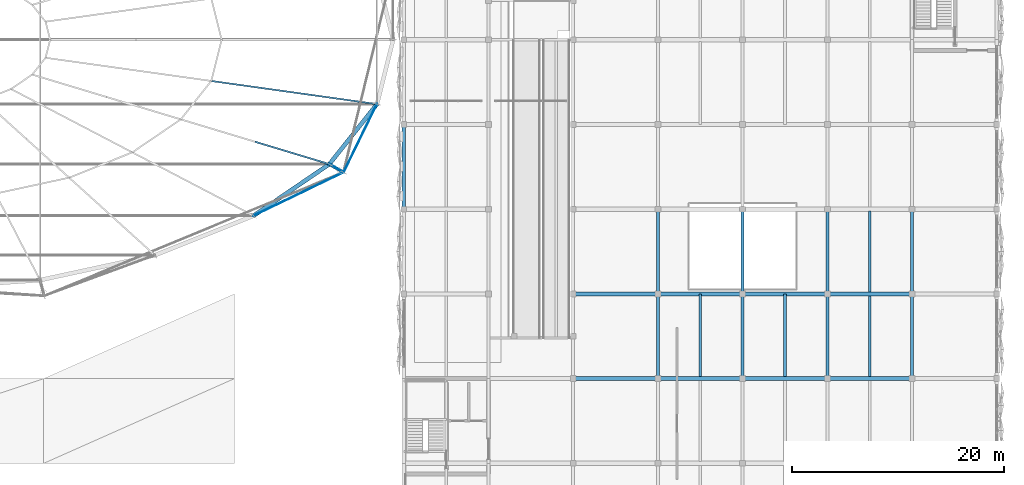
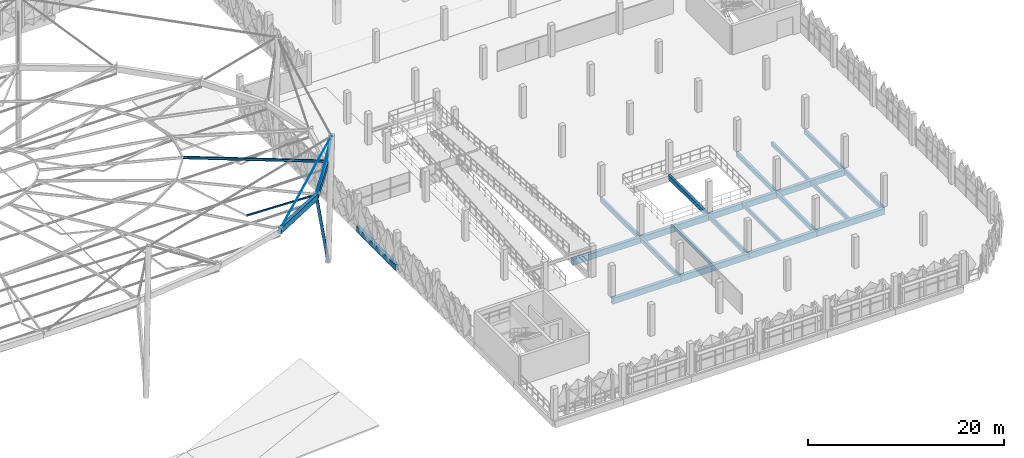
# One storey, part 22 of 96: 24 beams, 5 members.
"""IFC4 building model written with IfcOpenShell, lengths in metres."""

from ifc_helpers import new_model, si_unit, derived_unit, direction, frame, origin, origin_2d, place, context, subcontext, project, spatial, rectangle, hollow_rectangle, circle, i_section, extrude, material, material_profile, profile_set, type_object, element, save


model = new_model("IFC4")

# Units and contexts
model_context = context("Model", 3, precision=1e-05, world=origin(), true_north=direction((0.0, 1.0)))
body_context = subcontext(model_context, "Body", "Model", "MODEL_VIEW")
ifc_project = project(units=[si_unit("LENGTHUNIT", "METRE"), si_unit("AREAUNIT", "SQUARE_METRE"), si_unit("VOLUMEUNIT", "CUBIC_METRE"), si_unit("PLANEANGLEUNIT", "RADIAN"), si_unit("MASSUNIT", "GRAM", prefix="KILO"), si_unit("THERMODYNAMICTEMPERATUREUNIT", "KELVIN"), derived_unit("THERMALTRANSMITTANCEUNIT", [(si_unit("POWERUNIT", "WATT"), 1), (si_unit("AREAUNIT", "SQUARE_METRE"), -1), (si_unit("THERMODYNAMICTEMPERATUREUNIT", "KELVIN"), -1)])], contexts=[model_context])

# Site, building, storey
site_placement = place(None, origin())
site = spatial("IfcSite", under=ifc_project, at=site_placement, CompositionType="ELEMENT")
building_placement = place(site_placement, origin())
building = spatial("IfcBuilding", under=site, at=building_placement, Name="Haiyu Intermodal Mobility Hub", CompositionType="ELEMENT")
storey_placement = place(building_placement, frame((0.0, 0.0, 9.5)))
storey = spatial("IfcBuildingStorey", under=building, at=storey_placement, Name="L02", CompositionType="ELEMENT", Elevation=9.5)

# Beams
ifc_material_1 = material(Name="Concrete C40", Category="concrete")
ifc_material_profile_1 = material_profile(ifc_material_1, rectangle(XDim=0.39990234375, YDim=0.75, at=origin_2d()), Name="RCB400x750")
ifc_profile_set_1 = profile_set([ifc_material_profile_1], Name="Concrete C40")
beam_type_1 = type_object("IfcBeamType", Name="BM-CB03", PredefinedType="BEAM", material=ifc_profile_set_1)
for number, where, z_axis, x_axis, name in (
    (1, (170.0, 32.0, -0.635009765625), (1.0, 0.0, 0.0), (0.0, 1.0, 0.0), "BM-V5G-L02-016"),
    (2, (178.0, 32.0, -0.635009765625), (1.0, 0.0, 0.0), (0.0, 1.0, 0.0), "BM-V5G-L02-017"),
    (3, (186.0, 32.0, -0.635009765625), (1.0, 0.0, 0.0), (0.0, 1.0, 0.0), "BM-V5G-L02-018"),
    (4, (194.0, 32.0, -0.635009765625), (1.0, 0.0, 0.0), (0.0, 1.0, 0.0), "BM-V5G-L02-019"),
    (5, (170.0, 40.0, -0.635009765625), (1.0, 0.0, 0.0), (0.0, 1.0, 0.0), "BM-V5G-L02-023"),
    (6, (178.0, 40.0, -0.635009765625), (1.0, 0.0, 0.0), (0.0, 1.0, 0.0), "BM-V5G-L02-024"),
    (7, (186.0, 40.0, -0.635009765625), (1.0, 0.0, 0.0), (0.0, 1.0, 0.0), "BM-V5G-L02-025"),
    (8, (194.0, 40.0, -0.635009765625), (1.0, 0.0, 0.0), (0.0, 1.0, 0.0), "BM-V5G-L02-026"),
):
    element("IfcBeam", number, at=place(storey_placement, frame(where, z_axis=z_axis, x_axis=x_axis)), inside=storey, type_object=beam_type_1, Name=name, PredefinedType="BEAM", context=body_context, shape_type="SweptSolid", body=[
        extrude(rectangle(XDim=0.39990234375, YDim=0.75, at=origin_2d()), origin(), (0.0, 0.0, 1.0), 8.0),
    ])
ifc_material_profile_2 = material_profile(ifc_material_1, rectangle(XDim=0.35009765625, YDim=0.699951171875, at=origin_2d()), Name="RCB350x700")
ifc_profile_set_2 = profile_set([ifc_material_profile_2], Name="Concrete C40")
beam_type_2 = type_object("IfcBeamType", Name="BM-CB06", PredefinedType="BEAM", material=ifc_profile_set_2)
beam_1_placement = place(storey_placement, frame((154.0, 48.0, -0.610107421875), z_axis=(0.0, 1.0, 0.0), x_axis=(-1.0, 0.0, 0.0)))
element("IfcBeam", 9, at=beam_1_placement, inside=storey, type_object=beam_type_2, Name="BM-V5T-L02-005", PredefinedType="BEAM", context=body_context, shape_type="SweptSolid", body=[
    extrude(rectangle(XDim=0.35009765625, YDim=0.699951171875, at=origin_2d()), origin(), (0.0, 0.0, 1.0), 8.0),
])
ifc_material_profile_3 = material_profile(ifc_material_1, rectangle(XDim=0.280029296875, YDim=0.5400390625, at=origin_2d()), Name="RCB280x540")
ifc_profile_set_3 = profile_set([ifc_material_profile_3], Name="Concrete C40")
beam_type_3 = type_object("IfcBeamType", Name="BM-CB08", PredefinedType="JOIST", material=ifc_profile_set_3)
for number, where, z_axis, x_axis, name in (
    (10, (178.0, 32.0, -0.530029296875), (0.0, 1.0, 0.0), (-1.0, 0.0, 0.0), "BM-V5T-L02-027"),
    (11, (178.0, 40.0, -0.530029296875), (0.0, 1.0, 0.0), (-1.0, 0.0, 0.0), "BM-V5T-L02-028"),
    (12, (186.0, 32.0, -0.530029296875), (0.0, 1.0, 0.0), (-1.0, 0.0, 0.0), "BM-V5T-L02-035"),
    (13, (186.0, 40.0, -0.530029296875), (0.0, 1.0, 0.0), (-1.0, 0.0, 0.0), "BM-V5T-L02-036"),
    (14, (194.0, 32.0, -0.530029296875), (0.0, 1.0, 0.0), (-1.0, 0.0, 0.0), "BM-V5T-L02-043"),
    (15, (194.0, 40.0, -0.530029296875), (0.0, 1.0, 0.0), (-1.0, 0.0, 0.0), "BM-V5T-L02-044"),
    (16, (202.0, 32.0, -0.530029296875), (0.0, 1.0, 0.0), (-1.0, 0.0, 0.0), "BM-V5T-L02-051"),
    (17, (202.0, 40.0, -0.530029296875), (0.0, 1.0, 0.0), (-1.0, 0.0, 0.0), "BM-V5T-L02-052"),
):
    element("IfcBeam", number, at=place(storey_placement, frame(where, z_axis=z_axis, x_axis=x_axis)), inside=storey, type_object=beam_type_3, Name=name, PredefinedType="JOIST", context=body_context, shape_type="SweptSolid", body=[
        extrude(rectangle(XDim=0.280029296875, YDim=0.5400390625, at=origin_2d()), origin(), (0.0, 0.0, 1.0), 8.0),
    ])
ifc_material_profile_4 = material_profile(ifc_material_1, rectangle(XDim=0.25, YDim=0.47998046875, at=origin_2d()), Name="RCB250x480")
ifc_profile_set_4 = profile_set([ifc_material_profile_4], Name="Concrete C40")
beam_type_4 = type_object("IfcBeamType", Name="BM-CB09", PredefinedType="JOIST", material=ifc_profile_set_4)
for number, where, z_axis, x_axis, name in (
    (18, (182.0, 32.18505859375, -0.5), (0.0, 1.0, 0.0), (-1.0, 0.0, 0.0), "BM-V5J-L02-011"),
    (19, (190.0, 32.18505859375, -0.5), (0.0, 1.0, 0.0), (-1.0, 0.0, 0.0), "BM-V5J-L02-017"),
):
    element("IfcBeam", number, at=place(storey_placement, frame(where, z_axis=z_axis, x_axis=x_axis)), inside=storey, type_object=beam_type_4, Name=name, PredefinedType="JOIST", context=body_context, shape_type="SweptSolid", body=[
        extrude(rectangle(XDim=0.25, YDim=0.47998046875, at=origin_2d()), origin(), (0.0, 0.0, 1.0), 7.81494140625),
    ])
for number, where, z_axis, x_axis, name in (
    (20, (198.0, 32.18505859375, -0.5), (0.0, 1.0, 0.0), (-1.0, 0.0, 0.0), "BM-V5J-L02-023"),
    (21, (198.0, 40.18505859375, -0.5), (0.0, 1.0, 0.0), (-1.0, 0.0, 0.0), "BM-V5J-L02-024"),
):
    element("IfcBeam", number, at=place(storey_placement, frame(where, z_axis=z_axis, x_axis=x_axis)), inside=storey, type_object=beam_type_4, Name=name, PredefinedType="JOIST", context=body_context, shape_type="SweptSolid", body=[
        extrude(rectangle(XDim=0.25, YDim=0.47998046875, at=origin_2d()), origin(), (0.0, 0.0, 1.0), 7.6298828125),
    ])
ifc_material_2 = material(Name="Steel Q355C", Category="steel")
ifc_material_profile_5 = material_profile(ifc_material_2, hollow_rectangle(XDim=0.39990234375, YDim=0.699951171875, WallThickness=0.02197265625, at=origin_2d()), Name="RHS700x400x22")
ifc_profile_set_5 = profile_set([ifc_material_profile_5], Name="Steel Q355C")
beam_type_5 = type_object("IfcBeamType", Name="BM-SB01", PredefinedType="BEAM", material=ifc_profile_set_5)
beam_2_placement = place(storey_placement, frame((139.820068359375, 47.383056640625, 9.300048828125), z_axis=(0.818851357325, 0.557316552006, -0.137407115782), x_axis=(-0.562653513917, 0.826692822805, 0.0)))
element("IfcBeam", 22, at=beam_2_placement, inside=storey, type_object=beam_type_5, Name="Compression Ring Chord RB-22", PredefinedType="BEAM", context=body_context, shape_type="SweptSolid", body=[
    extrude(hollow_rectangle(XDim=0.39990234375, YDim=0.699951171875, WallThickness=0.02197265625, at=origin_2d()), origin(), (0.0, 0.0, 1.0), 8.73291015625),
])
beam_3_placement = place(storey_placement, frame((146.970947265625, 52.25, 8.10009765625), z_axis=(0.616934937857, 0.777734661017, -0.120499292543), x_axis=(-0.783443288642, 0.621463284098, 0.0)))
element("IfcBeam", 23, at=beam_3_placement, inside=storey, type_object=beam_type_5, Name="Compression Ring Chord RB-23", PredefinedType="BEAM", context=body_context, shape_type="SweptSolid", body=[
    extrude(hollow_rectangle(XDim=0.39990234375, YDim=0.699951171875, WallThickness=0.02197265625, at=origin_2d()), origin(), (0.0, 0.0, 1.0), 7.287841796875),
])
ifc_material_profile_6 = material_profile(ifc_material_2, i_section(OverallWidth=0.14990234375, OverallDepth=0.300048828125, WebThickness=0.006591796875, FlangeThickness=0.009033203125, FilletRadius=0.012939453125, at=origin_2d()), Name="HN300x150x6.5x9")
ifc_profile_set_6 = profile_set([ifc_material_profile_6], Name="Steel Q355C")
beam_type_6 = type_object("IfcBeamType", Name="BM-SB10-INT", PredefinedType="JOIST", material=ifc_profile_set_6)
beam_4_placement = place(storey_placement, frame((151.467041015625, 57.91796875, 7.458984375), z_axis=(-0.950521693383, 0.132966853416, 0.280763826554), x_axis=(-0.13853933675, -0.990356931703, 0.0)))
element("IfcBeam", 24, at=beam_4_placement, inside=storey, type_object=beam_type_6, Name="BM-SADRAD-095", PredefinedType="JOIST", context=body_context, shape_type="SweptSolid", body=[
    extrude(i_section(OverallWidth=0.14990234375, OverallDepth=0.300048828125, WebThickness=0.006591796875, FlangeThickness=0.009033203125, FilletRadius=0.012939453125, at=origin_2d()), origin(), (0.0, 0.0, 1.0), 16.46240234375),
])

# Members
ifc_material_profile_7 = material_profile(ifc_material_2, hollow_rectangle(XDim=0.300048828125, YDim=0.300048828125, WallThickness=0.011962890625, at=origin_2d()), Name="SHS300x300x12")
ifc_profile_set_7 = profile_set([ifc_material_profile_7], Name="Steel Q355C")
member_type_1 = type_object("IfcMemberType", Name="MEM-BR04", PredefinedType="BRACE", material=ifc_profile_set_7)
member_1_placement = place(storey_placement, frame((148.010009765625, 51.64990234375, 0.0), z_axis=(-0.126893070918, 0.073285518872, 0.98920542926), x_axis=(-0.50012165622, -0.865955154139, 0.0)))
element("IfcMember", 25, at=member_1_placement, inside=storey, type_object=member_type_1, Name="Mast Ring Strut MS-08", PredefinedType="BRACE", context=body_context, shape_type="SweptSolid", body=[
    extrude(hollow_rectangle(XDim=0.300048828125, YDim=0.300048828125, WallThickness=0.011962890625, at=origin_2d()), origin(), (0.0, 0.0, 1.0), 8.1884765625),
])
ifc_material_profile_8 = material_profile(ifc_material_2, hollow_rectangle(XDim=0.159912109375, YDim=0.159912109375, WallThickness=0.006103515625, at=origin_2d()), Name="SHS160x160x6")
ifc_profile_set_8 = profile_set([ifc_material_profile_8], Name="Steel Q355C")
member_type_2 = type_object("IfcMemberType", Name="MEM-CH03", PredefinedType="CHORD", material=ifc_profile_set_8)
member_2_placement = place(storey_placement, frame((146.970947265625, 52.25, 8.337890625), z_axis=(-0.93921536077, 0.283173447616, -0.194132183469), x_axis=(-0.288665193348, -0.957430105099, 0.0)))
element("IfcMember", 26, at=member_2_placement, inside=storey, type_object=member_type_2, Name="MEM-SADD1-093", PredefinedType="CHORD", context=body_context, shape_type="SweptSolid", body=[
    extrude(hollow_rectangle(XDim=0.159912109375, YDim=0.159912109375, WallThickness=0.006103515625, at=origin_2d()), origin(), (0.0, 0.0, 1.0), 7.468994140625),
])
ifc_material_3 = material(Name="Galvanized steel cable 1670 MPa", Category="steel")
ifc_material_profile_9 = material_profile(ifc_material_3, circle(Radius=0.032470703125, at=origin_2d()), Name="CABLE65")
ifc_profile_set_9 = profile_set([ifc_material_profile_9], Name="Galvanized steel cable 1670 MPa")
member_type_3 = type_object("IfcMemberType", Name="MEM-TC03", PredefinedType="USERDEFINED", material=ifc_profile_set_9)
member_3_placement = place(storey_placement, frame((148.31298828125, 51.47509765625, 15.699951171875), z_axis=(-0.74535657048, -0.359126152811, -0.561668932031), x_axis=(0.43406165409, -0.900883166925, 0.0)))
element("IfcMember", 27, at=member_3_placement, inside=storey, type_object=member_type_3, Name="Cable-Net Tendon CB-ST-044", ObjectType="TENSION CABLE", PredefinedType="USERDEFINED", context=body_context, shape_type="SweptSolid", body=[
    extrude(circle(Radius=0.032470703125, at=origin_2d()), origin(), (0.0, 0.0, 1.0), 11.39453125),
])
member_4_placement = place(storey_placement, frame((148.31298828125, 51.47509765625, 15.699951171875), z_axis=(-0.173027178281, 0.099906906288, -0.979836826034), x_axis=(-0.500036104519, -0.866004557827, 0.0)))
element("IfcMember", 28, at=member_4_placement, inside=storey, type_object=member_type_3, Name="Cable-Net Tendon CB-ST-045", ObjectType="TENSION CABLE", PredefinedType="USERDEFINED", context=body_context, shape_type="SweptSolid", body=[
    extrude(circle(Radius=0.032470703125, at=origin_2d()), origin(), (0.0, 0.0, 1.0), 7.75634765625),
])
member_5_placement = place(storey_placement, frame((148.31298828125, 51.47509765625, 15.699951171875), z_axis=(0.284004193413, 0.580143251349, -0.763397292396), x_axis=(-0.898152958199, 0.43968314009, 0.0)))
element("IfcMember", 29, at=member_5_placement, inside=storey, type_object=member_type_3, Name="Cable-Net Tendon CB-ST-046", ObjectType="TENSION CABLE", PredefinedType="USERDEFINED", context=body_context, shape_type="SweptSolid", body=[
    extrude(circle(Radius=0.032470703125, at=origin_2d()), origin(), (0.0, 0.0, 1.0), 11.105712890625),
])

save(model, "model.ifc")
